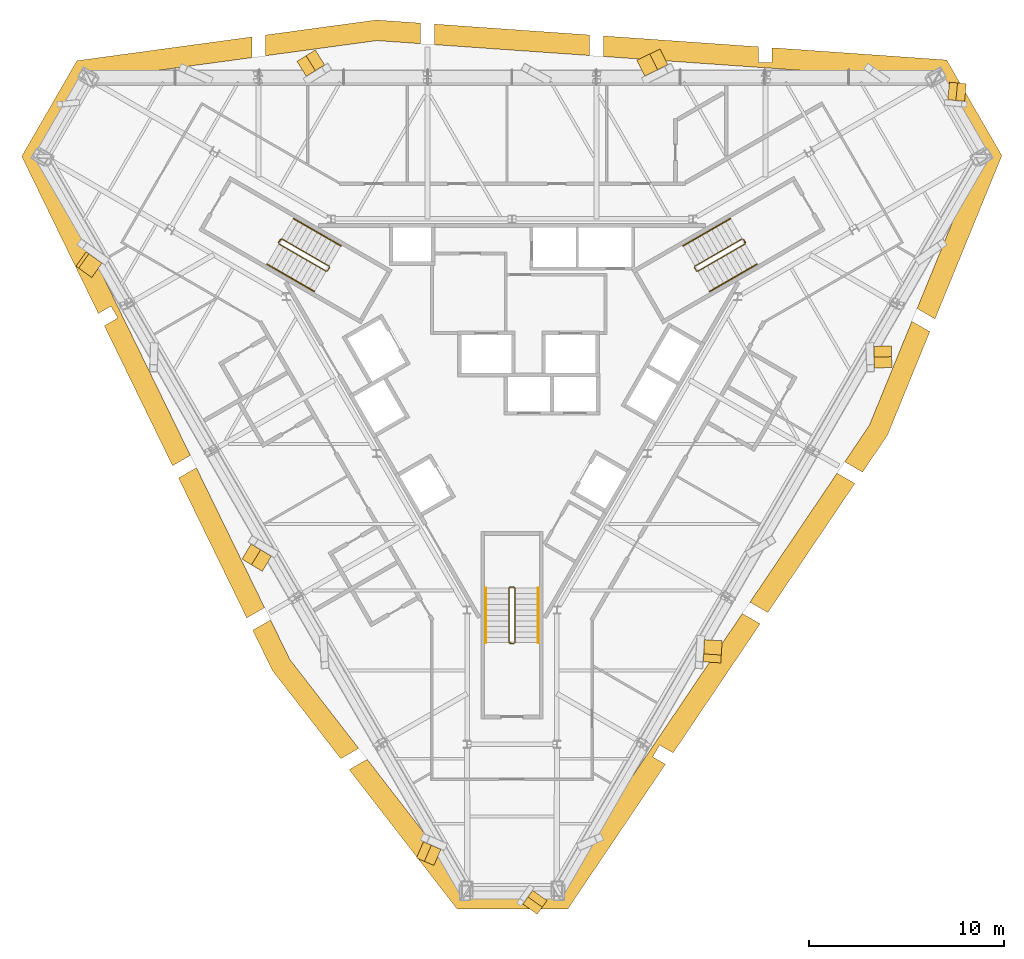
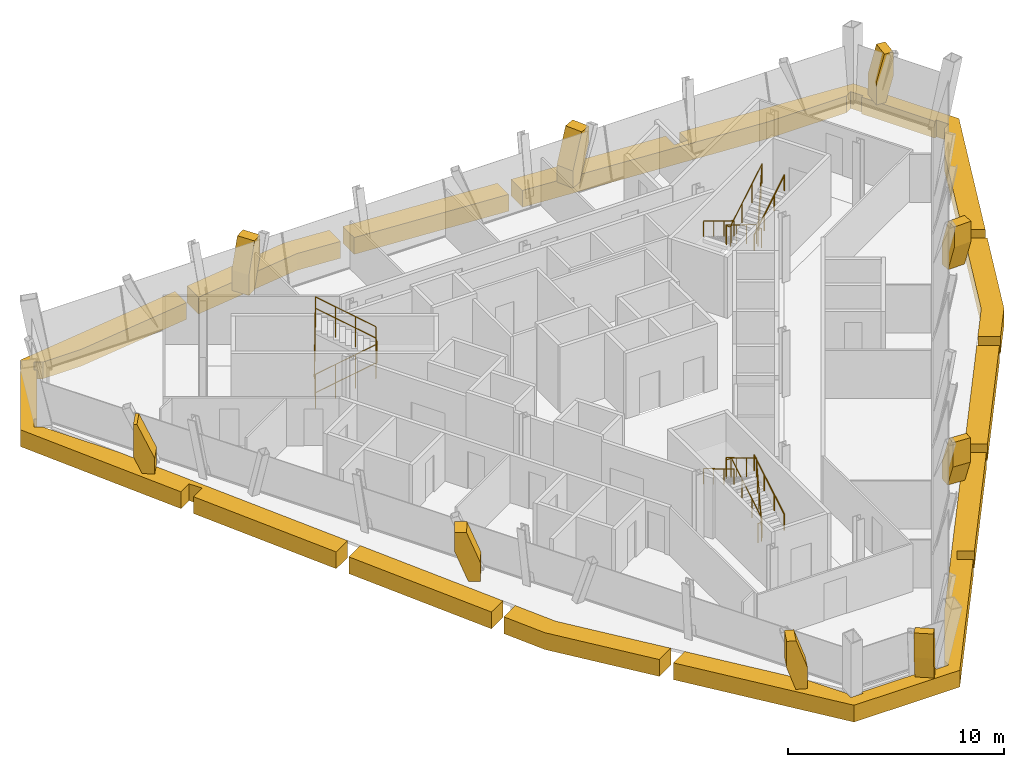
# One storey, part 10 of 10: 18 coverings, 9 railings.
"""IFC4 building model written with IfcOpenShell, lengths in metres."""

from ifc_helpers import new_model, si_unit, direction, frame, origin, origin_2d, place, context, subcontext, project, spatial, polyline, circle, outline, extrude, material, layer, layer_set, type_object, element, save


model = new_model("IFC4")

# Units and contexts
model_context = context("Model", 3, precision=1e-05, world=origin(), true_north=direction((0.0, 1.0)))
body_context = subcontext(model_context, "Body", "Model", "MODEL_VIEW")
ifc_project = project(units=[si_unit("LENGTHUNIT", "METRE"), si_unit("AREAUNIT", "SQUARE_METRE"), si_unit("VOLUMEUNIT", "CUBIC_METRE"), si_unit("PLANEANGLEUNIT", "RADIAN"), si_unit("MASSUNIT", "GRAM", prefix="KILO")], contexts=[model_context])

# Site, building, storey
site_placement = place(None, origin())
site = spatial("IfcSite", under=ifc_project, at=site_placement, CompositionType="ELEMENT")
building_placement = place(site_placement, origin())
building = spatial("IfcBuilding", under=site, at=building_placement, Name="Verrane Prism Tower", CompositionType="ELEMENT")
storey_placement = place(building_placement, frame((0.0, 0.0, 213.800048828125)))
storey = spatial("IfcBuildingStorey", under=building, at=storey_placement, Name="L53", CompositionType="ELEMENT", Elevation=213.800048828125)

# Railings
ifc_material_1 = material(Name="Steel A36 rail and posts, no infill", Category="steel")
railing_type_1 = type_object("IfcRailingType", Name="Stair guard 1100 steel rail and posts", PredefinedType="GUARDRAIL", material=ifc_material_1)
railing_1_placement = place(storey_placement, frame((11.78955078125, 6.97998046875, 0.168212890625)))
element("IfcRailing", 1, at=railing_1_placement, inside=storey, type_object=railing_type_1, Name="Stair 1 guard", PredefinedType="GUARDRAIL", context=body_context, shape_type="SweptSolid", body=[
    extrude(circle(Radius=0.02392578125, at=origin_2d()), frame((0.0, 0.0, 1.076171875), z_axis=(-0.742395268701, -0.428678701772, 0.514862928999), x_axis=(0.500049511043, -0.865996816683, 0.0)), (0.0, 0.0, 1.0), 3.26611328125),
    extrude(circle(Radius=0.02392578125, at=origin_2d()), frame((-2.4248046875, -1.400146484375, 2.7578125), z_axis=(-0.259601060869, -0.965715946433, 0.0), x_axis=(0.965715946433, -0.259601060869, 0.0)), (0.0, 0.0, 1.0), 0.070556640625),
    extrude(circle(Radius=0.02392578125, at=origin_2d()), frame((-2.443115234375, -1.46826171875, 2.7578125), z_axis=(0.499158860599, -0.866510491504, 0.0), x_axis=(0.866510491504, 0.499158860599, 0.0)), (0.0, 0.0, 1.0), 0.199951171875),
    extrude(circle(Radius=0.02392578125, at=origin_2d()), frame((-2.34326171875, -1.6416015625, 2.7578125), z_axis=(0.374585375571, -0.100335368456, 0.921747584887), x_axis=(0.258736085224, 0.965948051503, 0.0)), (0.0, 0.0, 1.0), 0.182373046875),
    extrude(circle(Radius=0.02392578125, at=origin_2d()), frame((-2.27490234375, -1.659912109375, 2.92578125), z_axis=(0.742366697286, 0.42866220388, 0.514917859203), x_axis=(-0.500049511043, 0.865996816683, 0.0)), (0.0, 0.0, 1.0), 3.266357421875),
    extrude(circle(Radius=0.02392578125, at=origin_2d()), frame((0.14990234375, -0.259765625, 4.60791015625), z_axis=(-0.021986835041, 0.065104730107, -0.997636182785), x_axis=(-0.947430582667, -0.3199613899, 0.0)), (0.0, 0.0, 1.0), 3.708740234375),
    extrude(circle(Radius=0.02392578125, at=origin_2d()), frame((0.068359375, -0.018310546875, 0.90771484375), z_axis=(0.499158860599, -0.866510491504, 0.0), x_axis=(0.866510491504, 0.499158860599, 0.0)), (0.0, 0.0, 1.0), 0.199951171875),
    extrude(circle(Radius=0.02099609375, at=origin_2d()), origin(), (0.0, 0.0, 1.0), 1.052001953125),
    extrude(circle(Radius=0.02099609375, at=origin_2d()), frame((-0.808349609375, -0.466796875, 0.560546875)), (0.0, 0.0, 1.0), 1.052001953125),
    extrude(circle(Radius=0.02099609375, at=origin_2d()), frame((-1.616455078125, -0.933349609375, 1.12109375)), (0.0, 0.0, 1.0), 1.052001953125),
    extrude(circle(Radius=0.02099609375, at=origin_2d()), frame((-2.4248046875, -1.400146484375, 1.681640625)), (0.0, 0.0, 1.0), 1.052001953125),
    extrude(circle(Radius=0.02099609375, at=origin_2d()), frame((-2.443115234375, -1.46826171875, 1.681640625)), (0.0, 0.0, 1.0), 1.052001953125),
    extrude(circle(Radius=0.02099609375, at=origin_2d()), frame((-2.34326171875, -1.6416015625, 1.681640625)), (0.0, 0.0, 1.0), 1.052001953125),
    extrude(circle(Radius=0.02099609375, at=origin_2d()), frame((-2.27490234375, -1.659912109375, 1.849853515625)), (0.0, 0.0, 1.0), 1.052001953125),
    extrude(circle(Radius=0.02099609375, at=origin_2d()), frame((-1.466552734375, -1.193115234375, 2.410400390625)), (0.0, 0.0, 1.0), 1.052001953125),
    extrude(circle(Radius=0.02099609375, at=origin_2d()), frame((-0.658447265625, -0.7265625, 2.97119140625)), (0.0, 0.0, 1.0), 1.052001953125),
    extrude(circle(Radius=0.02099609375, at=origin_2d()), frame((0.14990234375, -0.259765625, 3.53173828125)), (0.0, 0.0, 1.0), 1.052001953125),
    extrude(circle(Radius=0.02099609375, at=origin_2d()), frame((0.12939453125, -0.199462890625, 2.606689453125)), (0.0, 0.0, 1.0), 1.052001953125),
    extrude(circle(Radius=0.02099609375, at=origin_2d()), frame((0.109130859375, -0.13916015625, 1.681640625)), (0.0, 0.0, 1.0), 1.052001953125),
    extrude(circle(Radius=0.02099609375, at=origin_2d()), frame((0.0888671875, -0.07861328125, 0.7568359375)), (0.0, 0.0, 1.0), 1.052001953125),
    extrude(circle(Radius=0.02099609375, at=origin_2d()), frame((0.068359375, -0.018310546875, -0.168212890625)), (0.0, 0.0, 1.0), 1.052001953125),
    extrude(circle(Radius=0.02099609375, at=origin_2d()), frame((0.168212890625, -0.191650390625, -0.168212890625)), (0.0, 0.0, 1.0), 1.052001953125),
])
railing_2_placement = place(storey_placement, frame((-11.939453125, 6.72021484375, 0.168212890625)))
element("IfcRailing", 2, at=railing_2_placement, inside=storey, type_object=railing_type_1, Name="Stair 2 guard", PredefinedType="GUARDRAIL", context=body_context, shape_type="SweptSolid", body=[
    extrude(circle(Radius=0.02392578125, at=origin_2d()), frame((0.0, 0.0, 1.076171875), z_axis=(0.742395268701, -0.428678701772, 0.514862928999), x_axis=(0.500049511043, 0.865996816683, 0.0)), (0.0, 0.0, 1.0), 3.26611328125),
    extrude(circle(Radius=0.02392578125, at=origin_2d()), frame((2.4248046875, -1.400146484375, 2.7578125), z_axis=(0.965948051503, 0.258736085224, 0.0), x_axis=(-0.258736085224, 0.965948051503, 0.0)), (0.0, 0.0, 1.0), 0.07080078125),
    extrude(circle(Radius=0.02392578125, at=origin_2d()), frame((2.4931640625, -1.3818359375, 2.7578125), z_axis=(0.499158860599, 0.866510491504, 0.0), x_axis=(-0.866510491504, 0.499158860599, 0.0)), (0.0, 0.0, 1.0), 0.199951171875),
    extrude(circle(Radius=0.02392578125, at=origin_2d()), frame((2.593017578125, -1.20849609375, 2.7578125), z_axis=(-0.100385596638, 0.373434419493, 0.922209014446), x_axis=(-0.965715946433, -0.259601060869, 0.0)), (0.0, 0.0, 1.0), 0.182373046875),
    extrude(circle(Radius=0.02392578125, at=origin_2d()), frame((2.57470703125, -1.140380859375, 2.92578125), z_axis=(-0.742366697286, 0.42866220388, 0.514917859203), x_axis=(-0.500049511043, -0.865996816683, 0.0)), (0.0, 0.0, 1.0), 3.266357421875),
    extrude(circle(Radius=0.02392578125, at=origin_2d()), frame((0.14990234375, 0.259765625, 4.60791015625), z_axis=(-0.04535595117, -0.051675503147, -0.99763343973), x_axis=(0.751567565678, -0.659656118156, 0.0)), (0.0, 0.0, 1.0), 3.708740234375),
    extrude(circle(Radius=0.02392578125, at=origin_2d()), frame((-0.018310546875, 0.068115234375, 0.90771484375), z_axis=(0.499158860599, 0.866510491504, 0.0), x_axis=(-0.866510491504, 0.499158860599, 0.0)), (0.0, 0.0, 1.0), 0.199951171875),
    extrude(circle(Radius=0.02099609375, at=origin_2d()), origin(), (0.0, 0.0, 1.0), 1.052001953125),
    extrude(circle(Radius=0.02099609375, at=origin_2d()), frame((0.808349609375, -0.466796875, 0.560546875)), (0.0, 0.0, 1.0), 1.052001953125),
    extrude(circle(Radius=0.02099609375, at=origin_2d()), frame((1.616455078125, -0.933349609375, 1.12109375)), (0.0, 0.0, 1.0), 1.052001953125),
    extrude(circle(Radius=0.02099609375, at=origin_2d()), frame((2.4248046875, -1.400146484375, 1.681640625)), (0.0, 0.0, 1.0), 1.052001953125),
    extrude(circle(Radius=0.02099609375, at=origin_2d()), frame((2.4931640625, -1.3818359375, 1.681640625)), (0.0, 0.0, 1.0), 1.052001953125),
    extrude(circle(Radius=0.02099609375, at=origin_2d()), frame((2.593017578125, -1.20849609375, 1.681640625)), (0.0, 0.0, 1.0), 1.052001953125),
    extrude(circle(Radius=0.02099609375, at=origin_2d()), frame((2.57470703125, -1.140380859375, 1.849853515625)), (0.0, 0.0, 1.0), 1.052001953125),
    extrude(circle(Radius=0.02099609375, at=origin_2d()), frame((1.766357421875, -0.673583984375, 2.410400390625)), (0.0, 0.0, 1.0), 1.052001953125),
    extrude(circle(Radius=0.02099609375, at=origin_2d()), frame((0.958251953125, -0.20703125, 2.97119140625)), (0.0, 0.0, 1.0), 1.052001953125),
    extrude(circle(Radius=0.02099609375, at=origin_2d()), frame((0.14990234375, 0.259765625, 3.53173828125)), (0.0, 0.0, 1.0), 1.052001953125),
    extrude(circle(Radius=0.02099609375, at=origin_2d()), frame((0.10791015625, 0.2119140625, 2.606689453125)), (0.0, 0.0, 1.0), 1.052001953125),
    extrude(circle(Radius=0.02099609375, at=origin_2d()), frame((0.06591796875, 0.1640625, 1.681640625)), (0.0, 0.0, 1.0), 1.052001953125),
    extrude(circle(Radius=0.02099609375, at=origin_2d()), frame((0.023681640625, 0.115966796875, 0.7568359375)), (0.0, 0.0, 1.0), 1.052001953125),
    extrude(circle(Radius=0.02099609375, at=origin_2d()), frame((-0.018310546875, 0.068115234375, -0.168212890625)), (0.0, 0.0, 1.0), 1.052001953125),
    extrude(circle(Radius=0.02099609375, at=origin_2d()), frame((0.08154296875, 0.241455078125, -0.168212890625)), (0.0, 0.0, 1.0), 1.052001953125),
])
railing_3_placement = place(storey_placement, frame((0.14990234375, -13.699951171875, 0.168212890625)))
element("IfcRailing", 3, at=railing_3_placement, inside=storey, type_object=railing_type_1, Name="Stair 3 guard", PredefinedType="GUARDRAIL", context=body_context, shape_type="SweptSolid", body=[
    extrude(circle(Radius=0.02392578125, at=origin_2d()), frame((0.0, 0.0, 1.076171875), z_axis=(0.0, 0.857275202839, 0.514858452973), x_axis=(-1.0, 0.0, 0.0)), (0.0, 0.0, 1.0), 3.26611328125),
    extrude(circle(Radius=0.02392578125, at=origin_2d()), frame((0.0, 2.800048828125, 2.7578125), z_axis=(-0.707106781187, 0.707106781187, 0.0), x_axis=(-0.707106781187, -0.707106781187, 0.0)), (0.0, 0.0, 1.0), 0.0703125),
    extrude(circle(Radius=0.02392578125, at=origin_2d()), frame((-0.0498046875, 2.849853515625, 2.7578125), z_axis=(-1.0, 0.0, 0.0), x_axis=(0.0, -1.0, 0.0)), (0.0, 0.0, 1.0), 0.2001953125),
    extrude(circle(Radius=0.02392578125, at=origin_2d()), frame((-0.25, 2.849853515625, 2.7578125), z_axis=(-0.273106073848, -0.273106073848, 0.922402376869), x_axis=(0.707106781187, -0.707106781187, 0.0)), (0.0, 0.0, 1.0), 0.182373046875),
    extrude(circle(Radius=0.02392578125, at=origin_2d()), frame((-0.2998046875, 2.800048828125, 2.92578125), z_axis=(0.0, -0.857242210791, 0.514913383045), x_axis=(1.0, 0.0, 0.0)), (0.0, 0.0, 1.0), 3.266357421875),
    extrude(circle(Radius=0.02392578125, at=origin_2d()), frame((-0.2998046875, 0.0, 4.60791015625), z_axis=(0.067408604812, -0.013494886706, -0.997634185476), x_axis=(0.196300278283, 0.98054382908, 0.0)), (0.0, 0.0, 1.0), 3.708740234375),
    extrude(circle(Radius=0.02392578125, at=origin_2d()), frame((-0.0498046875, -0.050048828125, 0.90771484375), z_axis=(-1.0, 0.0, 0.0), x_axis=(0.0, -1.0, 0.0)), (0.0, 0.0, 1.0), 0.2001953125),
    extrude(circle(Radius=0.02099609375, at=origin_2d()), origin(), (0.0, 0.0, 1.0), 1.052001953125),
    extrude(circle(Radius=0.02099609375, at=origin_2d()), frame((0.0, 0.933349609375, 0.560546875)), (0.0, 0.0, 1.0), 1.052001953125),
    extrude(circle(Radius=0.02099609375, at=origin_2d()), frame((0.0, 1.86669921875, 1.12109375)), (0.0, 0.0, 1.0), 1.052001953125),
    extrude(circle(Radius=0.02099609375, at=origin_2d()), frame((0.0, 2.800048828125, 1.681640625)), (0.0, 0.0, 1.0), 1.052001953125),
    extrude(circle(Radius=0.02099609375, at=origin_2d()), frame((-0.0498046875, 2.849853515625, 1.681640625)), (0.0, 0.0, 1.0), 1.052001953125),
    extrude(circle(Radius=0.02099609375, at=origin_2d()), frame((-0.25, 2.849853515625, 1.681640625)), (0.0, 0.0, 1.0), 1.052001953125),
    extrude(circle(Radius=0.02099609375, at=origin_2d()), frame((-0.2998046875, 2.800048828125, 1.849853515625)), (0.0, 0.0, 1.0), 1.052001953125),
    extrude(circle(Radius=0.02099609375, at=origin_2d()), frame((-0.2998046875, 1.86669921875, 2.410400390625)), (0.0, 0.0, 1.0), 1.052001953125),
    extrude(circle(Radius=0.02099609375, at=origin_2d()), frame((-0.2998046875, 0.933349609375, 2.97119140625)), (0.0, 0.0, 1.0), 1.052001953125),
    extrude(circle(Radius=0.02099609375, at=origin_2d()), frame((-0.2998046875, 0.0, 3.53173828125)), (0.0, 0.0, 1.0), 1.052001953125),
    extrude(circle(Radius=0.02099609375, at=origin_2d()), frame((-0.2373046875, -0.012451171875, 2.606689453125)), (0.0, 0.0, 1.0), 1.052001953125),
    extrude(circle(Radius=0.02099609375, at=origin_2d()), frame((-0.1748046875, -0.02490234375, 1.681640625)), (0.0, 0.0, 1.0), 1.052001953125),
    extrude(circle(Radius=0.02099609375, at=origin_2d()), frame((-0.1123046875, -0.03759765625, 0.7568359375)), (0.0, 0.0, 1.0), 1.052001953125),
    extrude(circle(Radius=0.02099609375, at=origin_2d()), frame((-0.0498046875, -0.050048828125, -0.168212890625)), (0.0, 0.0, 1.0), 1.052001953125),
    extrude(circle(Radius=0.02099609375, at=origin_2d()), frame((-0.25, -0.050048828125, -0.168212890625)), (0.0, 0.0, 1.0), 1.052001953125),
])
ifc_material_2 = material(Name="Steel A36 tube", Category="steel")
railing_type_2 = type_object("IfcRailingType", Name="Stair handrail 900 steel tube", PredefinedType="HANDRAIL", material=ifc_material_2)
railing_4_placement = place(storey_placement, frame((11.189453125, 8.01904296875, 0.168212890625)))
element("IfcRailing", 4, at=railing_4_placement, inside=storey, type_object=railing_type_2, Name="Stair 1 handrail", PredefinedType="HANDRAIL", context=body_context, shape_type="SweptSolid", body=[
    extrude(circle(Radius=0.02392578125, at=origin_2d()), frame((0.0, 0.0, 0.8759765625), z_axis=(-0.74241905619, -0.428617687091, 0.514879426), x_axis=(0.49998411664, -0.866034573852, 0.0)), (0.0, 0.0, 1.0), 3.26611328125),
    extrude(circle(Radius=0.02099609375, at=origin_2d()), origin(), (0.0, 0.0, 1.0), 0.851806640625),
    extrude(circle(Radius=0.02099609375, at=origin_2d()), frame((-0.808349609375, -0.466552734375, 0.560546875)), (0.0, 0.0, 1.0), 0.851806640625),
    extrude(circle(Radius=0.02099609375, at=origin_2d()), frame((-1.616455078125, -0.933349609375, 1.12109375)), (0.0, 0.0, 1.0), 0.851806640625),
    extrude(circle(Radius=0.02099609375, at=origin_2d()), frame((-2.4248046875, -1.39990234375, 1.681640625)), (0.0, 0.0, 1.0), 0.851806640625),
])
railing_5_placement = place(storey_placement, frame((10.11474609375, 4.28076171875, 2.01806640625)))
element("IfcRailing", 5, at=railing_5_placement, inside=storey, type_object=railing_type_2, Name="Stair 1 handrail", PredefinedType="HANDRAIL", context=body_context, shape_type="SweptSolid", body=[
    extrude(circle(Radius=0.02392578125, at=origin_2d()), frame((0.0, 0.0, 0.8759765625), z_axis=(0.742366697286, 0.42866220388, 0.514917859203), x_axis=(-0.500049511043, 0.865996816683, 0.0)), (0.0, 0.0, 1.0), 3.266357421875),
    extrude(circle(Radius=0.02099609375, at=origin_2d()), origin(), (0.0, 0.0, 1.0), 0.851806640625),
    extrude(circle(Radius=0.02099609375, at=origin_2d()), frame((0.808349609375, 0.466796875, 0.560546875)), (0.0, 0.0, 1.0), 0.851806640625),
    extrude(circle(Radius=0.02099609375, at=origin_2d()), frame((1.616455078125, 0.933349609375, 1.121337890625)), (0.0, 0.0, 1.0), 0.851806640625),
    extrude(circle(Radius=0.02099609375, at=origin_2d()), frame((2.4248046875, 1.400146484375, 1.681884765625)), (0.0, 0.0, 1.0), 0.851806640625),
])
railing_6_placement = place(storey_placement, frame((-12.53955078125, 5.680908203125, 0.168212890625)))
element("IfcRailing", 6, at=railing_6_placement, inside=storey, type_object=railing_type_2, Name="Stair 2 handrail", PredefinedType="HANDRAIL", context=body_context, shape_type="SweptSolid", body=[
    extrude(circle(Radius=0.02392578125, at=origin_2d()), frame((0.0, 0.0, 0.8759765625), z_axis=(0.742395268701, -0.428678701772, 0.514862928999), x_axis=(0.500049511043, 0.865996816683, 0.0)), (0.0, 0.0, 1.0), 3.26611328125),
    extrude(circle(Radius=0.02099609375, at=origin_2d()), origin(), (0.0, 0.0, 1.0), 0.851806640625),
    extrude(circle(Radius=0.02099609375, at=origin_2d()), frame((0.808349609375, -0.466796875, 0.560546875)), (0.0, 0.0, 1.0), 0.851806640625),
    extrude(circle(Radius=0.02099609375, at=origin_2d()), frame((1.616455078125, -0.933349609375, 1.12109375)), (0.0, 0.0, 1.0), 0.851806640625),
    extrude(circle(Radius=0.02099609375, at=origin_2d()), frame((2.4248046875, -1.400146484375, 1.681640625)), (0.0, 0.0, 1.0), 0.851806640625),
])
railing_7_placement = place(storey_placement, frame((-8.7646484375, 6.619140625, 2.01806640625)))
element("IfcRailing", 7, at=railing_7_placement, inside=storey, type_object=railing_type_2, Name="Stair 2 handrail", PredefinedType="HANDRAIL", context=body_context, shape_type="SweptSolid", body=[
    extrude(circle(Radius=0.02392578125, at=origin_2d()), frame((0.0, 0.0, 0.8759765625), z_axis=(-0.742390482028, 0.42860119049, 0.514934356695), x_axis=(-0.49998411664, -0.866034573852, 0.0)), (0.0, 0.0, 1.0), 3.26611328125),
    extrude(circle(Radius=0.02099609375, at=origin_2d()), origin(), (0.0, 0.0, 1.0), 0.851806640625),
    extrude(circle(Radius=0.02099609375, at=origin_2d()), frame((-0.808349609375, 0.466552734375, 0.560546875)), (0.0, 0.0, 1.0), 0.851806640625),
    extrude(circle(Radius=0.02099609375, at=origin_2d()), frame((-1.616455078125, 0.933349609375, 1.121337890625)), (0.0, 0.0, 1.0), 0.851806640625),
    extrude(circle(Radius=0.02099609375, at=origin_2d()), frame((-2.4248046875, 1.39990234375, 1.681884765625)), (0.0, 0.0, 1.0), 0.851806640625),
])
railing_8_placement = place(storey_placement, frame((1.35009765625, -13.699951171875, 0.168212890625)))
element("IfcRailing", 8, at=railing_8_placement, inside=storey, type_object=railing_type_2, Name="Stair 3 handrail", PredefinedType="HANDRAIL", context=body_context, shape_type="SweptSolid", body=[
    extrude(circle(Radius=0.02392578125, at=origin_2d()), frame((0.0, 0.0, 0.8759765625), z_axis=(0.0, 0.857275202839, 0.514858452973), x_axis=(-1.0, 0.0, 0.0)), (0.0, 0.0, 1.0), 3.26611328125),
    extrude(circle(Radius=0.02099609375, at=origin_2d()), origin(), (0.0, 0.0, 1.0), 0.851806640625),
    extrude(circle(Radius=0.02099609375, at=origin_2d()), frame((0.0, 0.933349609375, 0.560546875)), (0.0, 0.0, 1.0), 0.851806640625),
    extrude(circle(Radius=0.02099609375, at=origin_2d()), frame((0.0, 1.86669921875, 1.12109375)), (0.0, 0.0, 1.0), 0.851806640625),
    extrude(circle(Radius=0.02099609375, at=origin_2d()), frame((0.0, 2.800048828125, 1.681640625)), (0.0, 0.0, 1.0), 0.851806640625),
])
railing_9_placement = place(storey_placement, frame((-1.35009765625, -10.89990234375, 2.01806640625)))
element("IfcRailing", 9, at=railing_9_placement, inside=storey, type_object=railing_type_2, Name="Stair 3 handrail", PredefinedType="HANDRAIL", context=body_context, shape_type="SweptSolid", body=[
    extrude(circle(Radius=0.02392578125, at=origin_2d()), frame((0.0, 0.0, 0.8759765625), z_axis=(0.0, -0.857242210791, 0.514913383045), x_axis=(1.0, 0.0, 0.0)), (0.0, 0.0, 1.0), 3.266357421875),
    extrude(circle(Radius=0.02099609375, at=origin_2d()), origin(), (0.0, 0.0, 1.0), 0.851806640625),
    extrude(circle(Radius=0.02099609375, at=origin_2d()), frame((0.0, -0.933349609375, 0.560546875)), (0.0, 0.0, 1.0), 0.851806640625),
    extrude(circle(Radius=0.02099609375, at=origin_2d()), frame((0.0, -1.86669921875, 1.121337890625)), (0.0, 0.0, 1.0), 0.851806640625),
    extrude(circle(Radius=0.02099609375, at=origin_2d()), frame((0.0, -2.800048828125, 1.681884765625)), (0.0, 0.0, 1.0), 0.851806640625),
])

# Coverings
ifc_material_3 = material(Name="Warm limestone cladding", Category="masonry")
ifc_layer_1 = layer(ifc_material_3, 0.89990234375)
ifc_layer_set_1 = layer_set([ifc_layer_1], Name="Stone brace fin 900")
covering_type_1 = type_object("IfcCoveringType", Name="Stone brace fin 900", PredefinedType="CLADDING", material=ifc_layer_set_1)
covering_1_placement = place(storey_placement, frame((6.594970703125, 15.715576171875, 0.0), z_axis=(0.0, 0.0, 1.0), x_axis=(0.896381320461, 0.443283801112, 0.0)))
element("IfcCovering", 10, at=covering_1_placement, inside=storey, type_object=covering_type_1, Name="Stone brace fin N2 L53", PredefinedType="CLADDING", context=body_context, shape_type="SweptSolid", body=[
    extrude(outline(polyline([(1.318603515625, 2.75), (0.737060546875, 2.75), (0.0, 0.963134765625), (0.0, 0.0), (0.576171875, 0.0), (1.318603515625, 1.799560546875), (1.318603515625, 2.75)])), frame((0.0, 0.449951171875, 0.0), z_axis=(0.0, -1.0, 0.0), x_axis=(1.0, 0.0, 0.0)), (0.0, 0.0, 1.0), 0.89990234375),
])
covering_2_placement = place(storey_placement, frame((-10.770751953125, 15.68408203125, 0.0), z_axis=(0.0, 0.0, 1.0), x_axis=(0.84830867313, 0.529502025579, 0.0)))
element("IfcCovering", 11, at=covering_2_placement, inside=storey, type_object=covering_type_1, Name="Stone brace fin N4 L53", PredefinedType="CLADDING", context=body_context, shape_type="SweptSolid", body=[
    extrude(outline(polyline([(1.10400390625, 2.75), (0.548583984375, 2.75), (0.0, 1.161376953125), (0.0, 0.0), (0.55078125, 0.0), (1.10400390625, 1.601318359375), (1.10400390625, 2.75)])), frame((0.0, 0.449951171875, 0.0), z_axis=(0.0, -1.0, 0.0), x_axis=(1.0, 0.0, 0.0)), (0.0, 0.0, 1.0), 0.89990234375),
])
covering_3_placement = place(storey_placement, frame((-21.255615234375, 5.3671875, 0.0), z_axis=(0.0, 0.0, 1.0), x_axis=(-0.812902444042, 0.582399876777, 0.0)))
element("IfcCovering", 12, at=covering_3_placement, inside=storey, type_object=covering_type_1, Name="Stone brace fin SW1 L53", PredefinedType="CLADDING", context=body_context, shape_type="SweptSolid", body=[
    extrude(outline(polyline([(0.993408203125, 2.75), (0.824951171875, 2.75), (0.0, 0.89208984375), (0.0, 0.0), (0.588623046875, 0.0), (0.993408203125, 0.911865234375), (0.993408203125, 2.75)])), frame((0.0, 0.449951171875, 0.0), z_axis=(0.0, -1.0, 0.0), x_axis=(1.0, 0.0, 0.0)), (0.0, 0.0, 1.0), 0.89990234375),
])
covering_4_placement = place(storey_placement, frame((-12.55615234375, -9.656982421875, 0.0), z_axis=(0.0, 0.0, 1.0), x_axis=(-0.856369208938, 0.516363997567, 0.0)))
element("IfcCovering", 13, at=covering_4_placement, inside=storey, type_object=covering_type_1, Name="Stone brace fin SW3 L53", PredefinedType="CLADDING", context=body_context, shape_type="SweptSolid", body=[
    extrude(outline(polyline([(1.2099609375, 2.75), (0.641845703125, 2.75), (0.0, 1.05419921875), (0.0, 0.0), (0.563232421875, 0.0), (1.2099609375, 1.70849609375), (1.2099609375, 2.75)])), frame((0.0, 0.449951171875, 0.0), z_axis=(0.0, -1.0, 0.0), x_axis=(1.0, 0.0, 0.0)), (0.0, 0.0, 1.0), 0.89990234375),
])
covering_5_placement = place(storey_placement, frame((-3.819580078125, -24.69091796875, 0.0), z_axis=(0.0, 0.0, 1.0), x_axis=(-0.918650969211, 0.395070116267, 0.0)))
element("IfcCovering", 14, at=covering_5_placement, inside=storey, type_object=covering_type_1, Name="Stone brace fin SW5 L53", PredefinedType="CLADDING", context=body_context, shape_type="SweptSolid", body=[
    extrude(outline(polyline([(0.972900390625, 2.75), (0.53173828125, 2.75), (0.0, 1.183349609375), (0.0, 0.0), (0.548828125, 0.0), (0.972900390625, 1.2490234375), (0.972900390625, 2.75)])), frame((0.0, 0.449951171875, 0.0), z_axis=(0.0, -1.0, 0.0), x_axis=(1.0, 0.0, 0.0)), (0.0, 0.0, 1.0), 0.89990234375),
])
covering_6_placement = place(storey_placement, frame((10.311279296875, -13.5703125, 0.0), z_axis=(0.0, 0.0, 1.0), x_axis=(-0.0613630774, -0.998115510716, 0.0)))
element("IfcCovering", 15, at=covering_6_placement, inside=storey, type_object=covering_type_1, Name="Stone brace fin SE2 L53", PredefinedType="CLADDING", context=body_context, shape_type="SweptSolid", body=[
    extrude(outline(polyline([(1.137939453125, 2.75), (0.732177734375, 2.75), (0.0, 0.967529296875), (0.0, 0.0), (0.575439453125, 0.0), (1.137939453125, 1.369140625), (1.137939453125, 2.75)])), frame((0.0, 0.449951171875, 0.0), z_axis=(0.0, -1.0, 0.0), x_axis=(1.0, 0.0, 0.0)), (0.0, 0.0, 1.0), 0.89990234375),
])
covering_7_placement = place(storey_placement, frame((18.971435546875, 1.48583984375, 0.0), z_axis=(0.0, 0.0, 1.0), x_axis=(0.03126912584, -0.999511001325, 0.0)))
element("IfcCovering", 16, at=covering_7_placement, inside=storey, type_object=covering_type_1, Name="Stone brace fin SE4 L53", PredefinedType="CLADDING", context=body_context, shape_type="SweptSolid", body=[
    extrude(outline(polyline([(1.10888671875, 2.75), (0.552978515625, 2.75), (0.0, 1.15625), (0.0, 0.0), (0.551513671875, 0.0), (1.10888671875, 1.6064453125), (1.10888671875, 2.75)])), frame((0.0, 0.449951171875, 0.0), z_axis=(0.0, -1.0, 0.0), x_axis=(1.0, 0.0, 0.0)), (0.0, 0.0, 1.0), 0.89990234375),
])
covering_8_placement = place(storey_placement, frame((22.356689453125, 14.5537109375, 0.0), z_axis=(0.0, 0.0, 1.0), x_axis=(0.995247316766, -0.097379558787, 0.0)))
element("IfcCovering", 17, at=covering_8_placement, inside=storey, type_object=covering_type_1, Name="Stone brace fin NE1 L53", PredefinedType="CLADDING", context=body_context, shape_type="SweptSolid", body=[
    extrude(outline(polyline([(0.864990234375, 2.75), (0.415283203125, 2.75), (0.0, 1.25732421875), (0.0, 0.0), (0.48486328125, 0.0), (0.864990234375, 1.365478515625), (0.864990234375, 2.75)])), frame((0.0, 0.449951171875, 0.0), z_axis=(0.0, -1.0, 0.0), x_axis=(1.0, 0.0, 0.0)), (0.0, 0.0, 1.0), 0.89990234375),
])
covering_9_placement = place(storey_placement, frame((1.42333984375, -26.640869140625, 0.0), z_axis=(0.0, 0.0, 1.0), x_axis=(-0.582578250227, -0.81277461966, 0.0)))
element("IfcCovering", 18, at=covering_9_placement, inside=storey, type_object=covering_type_1, Name="Stone brace fin S1 L53", PredefinedType="CLADDING", context=body_context, shape_type="SweptSolid", body=[
    extrude(outline(polyline([(0.861083984375, 2.75), (0.41357421875, 2.75), (0.0, 1.25732421875), (0.0, 0.0), (0.48291015625, 0.0), (0.861083984375, 1.365478515625), (0.861083984375, 2.75)])), frame((0.0, 0.449951171875, 0.0), z_axis=(0.0, -1.0, 0.0), x_axis=(1.0, 0.0, 0.0)), (0.0, 0.0, 1.0), 0.89990234375),
])
ifc_material_4 = material(Name="Warm limestone cladding", Category="masonry")
ifc_layer_2 = layer(ifc_material_4, 0.449951171875)
ifc_layer_set_2 = layer_set([ifc_layer_2], Name="Stone spandrel band 450")
covering_type_2 = type_object("IfcCoveringType", Name="Stone spandrel band 450", PredefinedType="CLADDING", material=ifc_layer_set_2)
covering_10_placement = place(storey_placement, frame((0.0, 0.0, -0.949951171875)))
element("IfcCovering", 19, at=covering_10_placement, inside=storey, type_object=covering_type_2, Name="Stone spandrel band L53 part 1", PredefinedType="CLADDING", context=body_context, shape_type="SweptSolid", body=[
    extrude(outline(polyline([(2.84912109375, -27.341796875), (7.85595703125, -19.92138671875), (7.20458984375, -19.545166015625), (7.5546875, -18.93896484375), (8.24853515625, -19.339599609375), (12.70556640625, -12.733642578125), (11.7939453125, -12.207275390625), (4.691650390625, -22.73388671875), (3.776611328125, -24.31884765625), (3.77880859375, -24.323974609375), (3.77197265625, -24.326904296875), (2.6201171875, -26.322021484375), (2.6201171875, -26.719970703125), (1.9599609375, -26.719970703125), (1.9599609375, -26.591796875), (-1.9599609375, -26.591796875), (-1.9599609375, -26.719970703125), (-2.6201171875, -26.719970703125), (-2.6201171875, -26.322021484375), (-3.653564453125, -24.53173828125), (-7.41845703125, -19.668701171875), (-8.336181640625, -20.198486328125), (-2.805908203125, -27.341796875), (2.84912109375, -27.341796875)])), origin(), (0.0, 0.0, 1.0), 0.949951171875),
])
covering_11_placement = place(storey_placement, frame((0.0, 0.0, -0.949951171875)))
element("IfcCovering", 20, at=covering_11_placement, inside=storey, type_object=covering_type_2, Name="Stone spandrel band L53 part 2", PredefinedType="CLADDING", context=body_context, shape_type="SweptSolid", body=[
    extrude(outline(polyline([(4.6748046875, 17.3701171875), (4.6748046875, 16.317626953125), (17.34228515625, 15.429931640625), (19.1748046875, 15.429931640625), (19.176513671875, 15.432373046875), (19.1796875, 15.429931640625), (21.4794921875, 15.429931640625), (21.827392578125, 15.630859375), (22.157470703125, 15.05908203125), (22.047607421875, 14.995849609375), (24.00927734375, 11.598388671875), (24.117431640625, 11.660888671875), (24.447509765625, 11.089111328125), (24.105224609375, 10.8916015625), (23.072021484375, 9.101806640625), (20.74267578125, 3.409912109375), (21.660400390625, 2.8798828125), (25.081787109375, 11.240966796875), (22.254150390625, 16.138427734375), (13.32421875, 16.76416015625), (13.32421875, 16.01416015625), (12.624267578125, 16.01416015625), (12.624267578125, 16.813232421875), (4.6748046875, 17.3701171875)])), origin(), (0.0, 0.0, 1.0), 0.949951171875),
])
covering_12_placement = place(storey_placement, frame((0.0, 0.0, -0.949951171875)))
element("IfcCovering", 21, at=covering_12_placement, inside=storey, type_object=covering_type_2, Name="Stone spandrel band L53 part 3", PredefinedType="CLADDING", context=body_context, shape_type="SweptSolid", body=[
    extrude(outline(polyline([(-17.38037109375, -4.63671875), (-16.46875, -4.1103515625), (-22.033935546875, 7.303955078125), (-24.105224609375, 10.8916015625), (-24.447509765625, 11.089111328125), (-24.117431640625, 11.660888671875), (-24.00927734375, 11.598388671875), (-22.047607421875, 14.995849609375), (-22.157470703125, 15.05908203125), (-21.827392578125, 15.630859375), (-21.4794921875, 15.429931640625), (-19.418212890625, 15.429931640625), (-13.32421875, 16.2587890625), (-13.32421875, 17.318603515625), (-22.275634765625, 16.10107421875), (-25.103271484375, 11.20361328125), (-21.180419921875, 3.1572265625), (-20.53271484375, 3.531005859375), (-20.1826171875, 2.9248046875), (-20.872802734375, 2.5263671875), (-17.38037109375, -4.63671875)])), origin(), (0.0, 0.0, 1.0), 0.949951171875),
])
covering_13_placement = place(storey_placement, frame((0.0, 0.0, -0.949951171875)))
element("IfcCovering", 22, at=covering_13_placement, inside=storey, type_object=covering_type_2, Name="Stone spandrel band L53 part 4", PredefinedType="CLADDING", context=body_context, shape_type="SweptSolid", body=[
    extrude(outline(polyline([(-12.6689453125, -11.904052734375), (-16.161376953125, -4.7412109375), (-17.072998046875, -5.267333984375), (-13.58056640625, -12.430419921875), (-12.6689453125, -11.904052734375)])), origin(), (0.0, 0.0, 1.0), 0.949951171875),
])
covering_14_placement = place(storey_placement, frame((0.0, 0.0, -0.949951171875)))
element("IfcCovering", 23, at=covering_14_placement, inside=storey, type_object=covering_type_2, Name="Stone spandrel band L53 part 5", PredefinedType="CLADDING", context=body_context, shape_type="SweptSolid", body=[
    extrude(outline(polyline([(-7.850830078125, -19.110107421875), (-11.375244140625, -14.5576171875), (-12.361328125, -12.534912109375), (-13.27294921875, -13.06103515625), (-12.271484375, -15.114990234375), (-8.7685546875, -19.639892578125), (-7.850830078125, -19.110107421875)])), origin(), (0.0, 0.0, 1.0), 0.949951171875),
])
covering_15_placement = place(storey_placement, frame((0.0, 0.0, -0.949951171875)))
element("IfcCovering", 24, at=covering_15_placement, inside=storey, type_object=covering_type_2, Name="Stone spandrel band L53 part 6", PredefinedType="CLADDING", context=body_context, shape_type="SweptSolid", body=[
    extrude(outline(polyline([(17.55517578125, -5.5458984375), (16.643798828125, -5.01953125), (12.1865234375, -11.62548828125), (13.09814453125, -12.15185546875), (17.55517578125, -5.5458984375)])), origin(), (0.0, 0.0, 1.0), 0.949951171875),
])
covering_16_placement = place(storey_placement, frame((0.0, 0.0, -0.949951171875)))
element("IfcCovering", 25, at=covering_16_placement, inside=storey, type_object=covering_type_2, Name="Stone spandrel band L53 part 7", PredefinedType="CLADDING", context=body_context, shape_type="SweptSolid", body=[
    extrude(outline(polyline([(21.392822265625, 2.22607421875), (20.47509765625, 2.756103515625), (18.294921875, -2.572509765625), (17.0361328125, -4.43798828125), (17.94775390625, -4.964111328125), (19.2255859375, -3.070068359375), (21.392822265625, 2.22607421875)])), origin(), (0.0, 0.0, 1.0), 0.949951171875),
])
covering_17_placement = place(storey_placement, frame((0.0, 0.0, -0.949951171875)))
element("IfcCovering", 26, at=covering_17_placement, inside=storey, type_object=covering_type_2, Name="Stone spandrel band L53 part 8", PredefinedType="CLADDING", context=body_context, shape_type="SweptSolid", body=[
    extrude(outline(polyline([(-3.974853515625, 16.923583984375), (3.974853515625, 16.36669921875), (3.974853515625, 17.419189453125), (-3.974853515625, 17.976318359375), (-3.974853515625, 16.923583984375)])), origin(), (0.0, 0.0, 1.0), 0.949951171875),
])
covering_18_placement = place(storey_placement, frame((0.0, 0.0, -0.949951171875)))
element("IfcCovering", 27, at=covering_18_placement, inside=storey, type_object=covering_type_2, Name="Stone spandrel band L53 part 9", PredefinedType="CLADDING", context=body_context, shape_type="SweptSolid", body=[
    extrude(outline(polyline([(-12.624267578125, 16.35400390625), (-6.919677734375, 17.1298828125), (-4.6748046875, 16.97265625), (-4.6748046875, 18.025390625), (-6.9541015625, 18.18505859375), (-12.624267578125, 17.413818359375), (-12.624267578125, 16.35400390625)])), origin(), (0.0, 0.0, 1.0), 0.949951171875),
])

save(model, "model.ifc")
